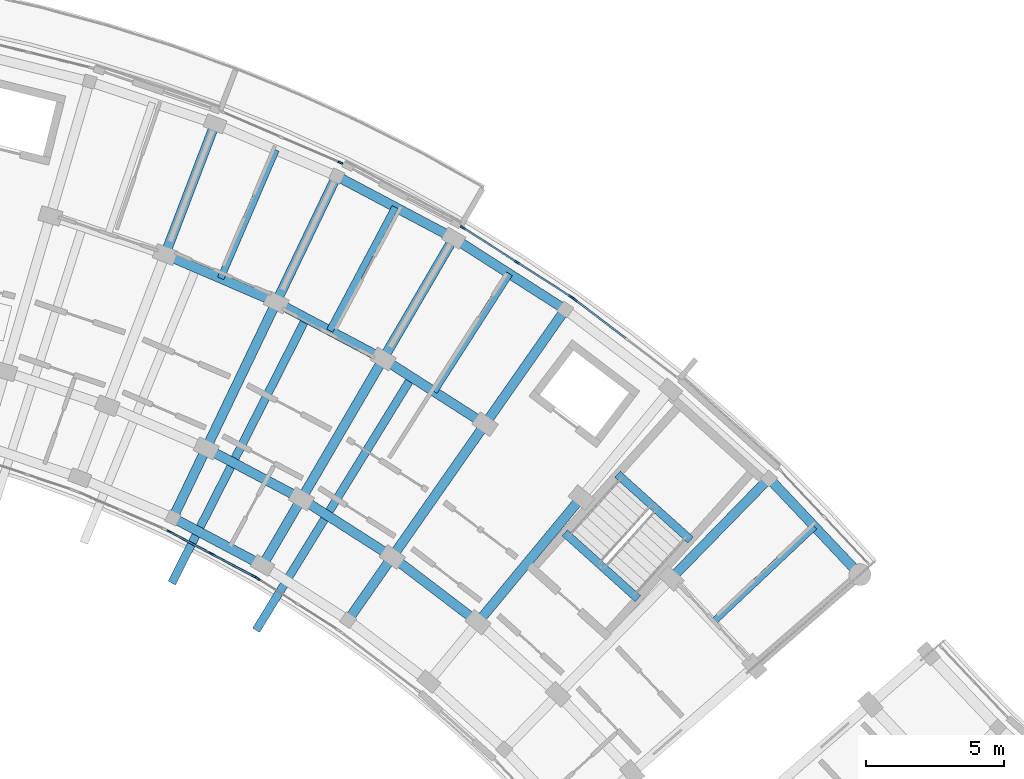
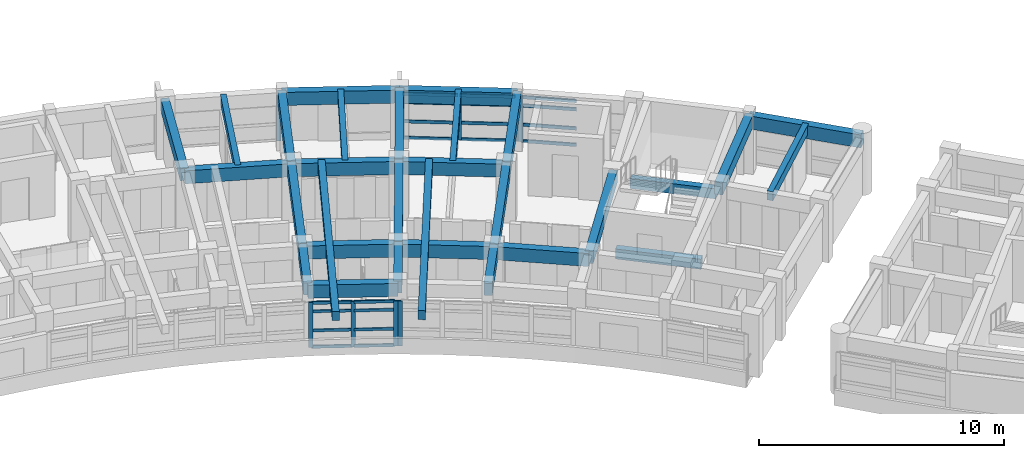
# One storey, part 15 of 54: 30 beams, 29 members, 5 elements without a shape of their own.
"""IFC4 building model written with IfcOpenShell, lengths in metres."""

from ifc_helpers import new_model, si_unit, direction, frame, origin, origin_2d, place, context, subcontext, project, spatial, rectangle, extrude, material, material_profile, profile_set, type_object, element, aggregate, save


model = new_model("IFC4")

# Units and contexts
model_context = context("Model", 3, precision=1e-05, world=origin(), true_north=direction((0.0, 1.0)))
body_context = subcontext(model_context, "Body", "Model", "MODEL_VIEW")
ifc_project = project(units=[si_unit("LENGTHUNIT", "METRE"), si_unit("AREAUNIT", "SQUARE_METRE"), si_unit("VOLUMEUNIT", "CUBIC_METRE"), si_unit("PLANEANGLEUNIT", "RADIAN"), si_unit("MASSUNIT", "GRAM", prefix="KILO")], contexts=[model_context])

# Site, building, storey
site_placement = place(None, origin())
site = spatial("IfcSite", under=ifc_project, at=site_placement, CompositionType="ELEMENT")
building_placement = place(site_placement, origin())
building = spatial("IfcBuilding", under=site, at=building_placement, Name="Zimvara Arc Housing Community", CompositionType="ELEMENT")
storey_placement = place(building_placement, frame((0.0, 0.0, 20.5)))
storey = spatial("IfcBuildingStorey", under=building, at=storey_placement, Name="L06", CompositionType="ELEMENT", Elevation=20.5)

# Beams
ifc_material_1 = material(Name="Concrete C40/50", Category="concrete")
ifc_material_profile_1 = material_profile(ifc_material_1, rectangle(XDim=0.25, YDim=0.449951171875, at=origin_2d()), Name="RC 250x450")
ifc_profile_set_1 = profile_set([ifc_material_profile_1], Name="Concrete C40/50")
beam_type_1 = type_object("IfcBeamType", Name="BM-RC-250x450", PredefinedType="JOIST", material=ifc_profile_set_1)
beam_1_placement = place(storey_placement, frame((66.22802734375, 93.885986328125, 2.635009765625), z_axis=(0.394929109608, 0.918711596958, 0.0), x_axis=(-0.918711596958, 0.394929109608, 0.0)))
element("IfcBeam", 1, at=beam_1_placement, inside=storey, type_object=beam_type_1, Name="bm:blkB:L06:joist:b4", PredefinedType="JOIST", context=body_context, shape_type="SweptSolid", body=[
    extrude(rectangle(XDim=0.25, YDim=0.449951171875, at=origin_2d()), origin(), (0.0, 0.0, 1.0), 5.075927734375),
])
for number, where, z_axis, x_axis, name in (
    (2, (70.186767578125, 91.9892578125, 2.635009765625), (0.46853732736, 0.883443701019, 0.0), (-0.883443701019, 0.46853732736, 0.0), "bm:blkB:L06:joist:b5"),
    (3, (73.9775390625, 89.776123046875, 2.635009765625), (0.539052331508, 0.842272274206, 0.0), (-0.842272274206, 0.539052331508, 0.0), "bm:blkB:L06:joist:b6"),
):
    element("IfcBeam", number, at=place(storey_placement, frame(where, z_axis=z_axis, x_axis=x_axis)), inside=storey, type_object=beam_type_1, Name=name, PredefinedType="JOIST", context=body_context, shape_type="SweptSolid", body=[
        extrude(rectangle(XDim=0.25, YDim=0.449951171875, at=origin_2d()), origin(), (0.0, 0.0, 1.0), 5.07568359375),
    ])
beam_2_placement = place(storey_placement, frame((84.095703125, 81.3935546875, 2.635009765625), z_axis=(0.727299876429, 0.686319815936, 0.0), x_axis=(-0.686319815936, 0.727299876429, 0.0)))
element("IfcBeam", 4, at=beam_2_placement, inside=storey, type_object=beam_type_1, Name="bm:blkB:L06:joist:b9", PredefinedType="JOIST", context=body_context, shape_type="SweptSolid", body=[
    extrude(rectangle(XDim=0.25, YDim=0.449951171875, at=origin_2d()), origin(), (0.0, 0.0, 1.0), 5.075927734375),
])
ifc_material_2 = material(Name="Concrete C40/50", Category="concrete")
ifc_material_profile_2 = material_profile(ifc_material_2, rectangle(XDim=0.300048828125, YDim=0.449951171875, at=origin_2d()), Name="RC 300x450")
ifc_profile_set_2 = profile_set([ifc_material_profile_2], Name="Concrete C40/50")
beam_type_2 = type_object("IfcBeamType", Name="BM-RC-300x450", PredefinedType="JOIST", material=ifc_profile_set_2)
beam_3_placement = place(storey_placement, frame((69.349609375, 92.474365234375, 2.6650390625), z_axis=(-0.452584717722, -0.89172141013, 0.0), x_axis=(0.89172141013, -0.452584717722, 0.0)))
element("IfcBeam", 5, at=beam_3_placement, inside=storey, type_object=beam_type_2, Name="bm:blkB:L06:cant_in:b5", PredefinedType="JOIST", context=body_context, shape_type="SweptSolid", body=[
    extrude(rectangle(XDim=0.300048828125, YDim=0.449951171875, at=origin_2d()), origin(), (0.0, 0.0, 1.0), 10.820068359375),
])
beam_4_placement = place(storey_placement, frame((73.182861328125, 90.32763671875, 2.6650390625), z_axis=(-0.523845615736, -0.851813225346, 0.0), x_axis=(0.851813225346, -0.523845615736, 0.0)))
element("IfcBeam", 6, at=beam_4_placement, inside=storey, type_object=beam_type_2, Name="bm:blkB:L06:cant_in:b6", PredefinedType="JOIST", context=body_context, shape_type="SweptSolid", body=[
    extrude(rectangle(XDim=0.300048828125, YDim=0.449951171875, at=origin_2d()), origin(), (0.0, 0.0, 1.0), 10.81982421875),
])
ifc_material_3 = material(Name="Concrete C40/50", Category="concrete")
ifc_material_profile_3 = material_profile(ifc_material_3, rectangle(XDim=0.300048828125, YDim=0.5, at=origin_2d()), Name="RC 300x500")
ifc_profile_set_3 = profile_set([ifc_material_profile_3], Name="Concrete C40/50")
beam_type_3 = type_object("IfcBeamType", Name="BM-RC-300x500", PredefinedType="BEAM", material=ifc_profile_set_3)
beam_5_placement = place(storey_placement, frame((81.375732421875, 82.259033203125, -0.25), z_axis=(-0.743362151162, 0.668889162881, 0.0), x_axis=(-0.668889162881, -0.743362151162, 0.0)))
element("IfcBeam", 7, at=beam_5_placement, inside=storey, type_object=beam_type_3, Name="bm:stair_trim:ST-B2:L06:near", PredefinedType="BEAM", context=body_context, shape_type="SweptSolid", body=[
    extrude(rectangle(XDim=0.300048828125, YDim=0.5, at=origin_2d()), origin(), (0.0, 0.0, 1.0), 3.570068359375),
])
beam_6_placement = place(storey_placement, frame((83.2900390625, 84.38671875, 1.300048828125), z_axis=(-0.743396155404, 0.668851370732, 0.0), x_axis=(-0.668851370732, -0.743396155404, 0.0)))
element("IfcBeam", 8, at=beam_6_placement, inside=storey, type_object=beam_type_3, Name="bm:stair_trim:ST-B2:L06:mid", PredefinedType="BEAM", context=body_context, shape_type="SweptSolid", body=[
    extrude(rectangle(XDim=0.300048828125, YDim=0.5, at=origin_2d()), origin(), (0.0, 0.0, 1.0), 3.56982421875),
])
ifc_material_4 = material(Name="Concrete C40/50", Category="concrete")
ifc_material_profile_4 = material_profile(ifc_material_4, rectangle(XDim=0.35009765625, YDim=0.60009765625, at=origin_2d()), Name="RC 350x600")
ifc_profile_set_4 = profile_set([ifc_material_profile_4], Name="Concrete C40/50")
beam_type_4 = type_object("IfcBeamType", Name="BM-RC-350x600", PredefinedType="BEAM", material=ifc_profile_set_4)
beam_7_placement = place(storey_placement, frame((64.2099609375, 94.75341796875, 2.56005859375), z_axis=(0.357078271386, 0.934074466038, 0.0), x_axis=(-0.934074466038, 0.357078271386, 0.0)))
element("IfcBeam", 9, at=beam_7_placement, inside=storey, type_object=beam_type_4, Name="bm:blkB:L06:rad:b4:r23", PredefinedType="BEAM", context=body_context, shape_type="SweptSolid", body=[
    extrude(rectangle(XDim=0.35009765625, YDim=0.60009765625, at=origin_2d()), origin(), (0.0, 0.0, 1.0), 5.080078125),
])
beam_8_placement = place(storey_placement, frame((64.49560546875, 85.190673828125, 2.56005859375), z_axis=(0.432118703138, 0.901816736593, 0.0), x_axis=(-0.901816736593, 0.432118703138, 0.0)))
element("IfcBeam", 10, at=beam_8_placement, inside=storey, type_object=beam_type_4, Name="bm:blkB:L06:rad:b5:r01", PredefinedType="BEAM", context=body_context, shape_type="SweptSolid", body=[
    extrude(rectangle(XDim=0.35009765625, YDim=0.60009765625, at=origin_2d()), origin(), (0.0, 0.0, 1.0), 2.800048828125),
])
beam_9_placement = place(storey_placement, frame((65.70556640625, 87.7158203125, 2.56005859375), z_axis=(0.432069527705, 0.901840298073, 0.0), x_axis=(-0.901840298073, 0.432069527705, 0.0)))
element("IfcBeam", 11, at=beam_9_placement, inside=storey, type_object=beam_type_4, Name="bm:blkB:L06:rad:b5:r12", PredefinedType="BEAM", context=body_context, shape_type="SweptSolid", body=[
    extrude(rectangle(XDim=0.35009765625, YDim=0.60009765625, at=origin_2d()), origin(), (0.0, 0.0, 1.0), 5.8798828125),
])
beam_10_placement = place(storey_placement, frame((68.24609375, 93.0185546875, 2.56005859375), z_axis=(0.432098194978, 0.901826563091, 0.0), x_axis=(-0.901826563091, 0.432098194978, 0.0)))
element("IfcBeam", 12, at=beam_10_placement, inside=storey, type_object=beam_type_4, Name="bm:blkB:L06:rad:b5:r23", PredefinedType="BEAM", context=body_context, shape_type="SweptSolid", body=[
    extrude(rectangle(XDim=0.35009765625, YDim=0.60009765625, at=origin_2d()), origin(), (0.0, 0.0, 1.0), 5.080078125),
])
beam_11_placement = place(storey_placement, frame((67.750732421875, 83.46435546875, 2.56005859375), z_axis=(0.504239631668, 0.86356377521, 0.0), x_axis=(-0.86356377521, 0.504239631668, 0.0)))
element("IfcBeam", 13, at=beam_11_placement, inside=storey, type_object=beam_type_4, Name="bm:blkB:L06:rad:b6:r01", PredefinedType="BEAM", context=body_context, shape_type="SweptSolid", body=[
    extrude(rectangle(XDim=0.35009765625, YDim=0.60009765625, at=origin_2d()), origin(), (0.0, 0.0, 1.0), 2.800048828125),
])
beam_12_placement = place(storey_placement, frame((69.16259765625, 85.88232421875, 2.56005859375), z_axis=(0.504219494781, 0.863575532934, 0.0), x_axis=(-0.863575532934, 0.504219494781, 0.0)))
element("IfcBeam", 14, at=beam_12_placement, inside=storey, type_object=beam_type_4, Name="bm:blkB:L06:rad:b6:r12", PredefinedType="BEAM", context=body_context, shape_type="SweptSolid", body=[
    extrude(rectangle(XDim=0.35009765625, YDim=0.60009765625, at=origin_2d()), origin(), (0.0, 0.0, 1.0), 5.880126953125),
])
beam_13_placement = place(storey_placement, frame((72.12744140625, 90.960205078125, 2.56005859375), z_axis=(0.504196701544, 0.863588840915, 0.0), x_axis=(-0.863588840915, 0.504196701544, 0.0)))
element("IfcBeam", 15, at=beam_13_placement, inside=storey, type_object=beam_type_4, Name="bm:blkB:L06:rad:b6:r23", PredefinedType="BEAM", context=body_context, shape_type="SweptSolid", body=[
    extrude(rectangle(XDim=0.35009765625, YDim=0.60009765625, at=origin_2d()), origin(), (0.0, 0.0, 1.0), 5.079833984375),
])
beam_14_placement = place(storey_placement, frame((70.85400390625, 81.478271484375, 2.56005859375), z_axis=(0.57297651105, 0.819571789281, 0.0), x_axis=(-0.819571789281, 0.57297651105, 0.0)))
element("IfcBeam", 16, at=beam_14_placement, inside=storey, type_object=beam_type_4, Name="bm:blkB:L06:rad:b7:r01", PredefinedType="BEAM", context=body_context, shape_type="SweptSolid", body=[
    extrude(rectangle(XDim=0.35009765625, YDim=0.60009765625, at=origin_2d()), origin(), (0.0, 0.0, 1.0), 2.7998046875),
])
beam_15_placement = place(storey_placement, frame((72.458251953125, 83.77294921875, 2.56005859375), z_axis=(0.573027549978, 0.819536104736, 0.0), x_axis=(-0.819536104736, 0.573027549978, 0.0)))
element("IfcBeam", 17, at=beam_15_placement, inside=storey, type_object=beam_type_4, Name="bm:blkB:L06:rad:b7:r12", PredefinedType="BEAM", context=body_context, shape_type="SweptSolid", body=[
    extrude(rectangle(XDim=0.35009765625, YDim=0.60009765625, at=origin_2d()), origin(), (0.0, 0.0, 1.0), 5.8798828125),
])
beam_16_placement = place(storey_placement, frame((75.82763671875, 88.591796875, 2.56005859375), z_axis=(0.573007469479, 0.819550144848, 0.0), x_axis=(-0.819550144848, 0.573007469479, 0.0)))
element("IfcBeam", 18, at=beam_16_placement, inside=storey, type_object=beam_type_4, Name="bm:blkB:L06:rad:b7:r23", PredefinedType="BEAM", context=body_context, shape_type="SweptSolid", body=[
    extrude(rectangle(XDim=0.35009765625, YDim=0.60009765625, at=origin_2d()), origin(), (0.0, 0.0, 1.0), 5.080078125),
])
beam_17_placement = place(storey_placement, frame((75.571044921875, 81.401611328125, 2.56005859375), z_axis=(0.637955964415, 0.770072845559, 0.0), x_axis=(-0.770072845559, 0.637955964415, 0.0)))
element("IfcBeam", 19, at=beam_17_placement, inside=storey, type_object=beam_type_4, Name="bm:blkB:L06:rad:b8:r12", PredefinedType="BEAM", context=body_context, shape_type="SweptSolid", body=[
    extrude(rectangle(XDim=0.35009765625, YDim=0.60009765625, at=origin_2d()), origin(), (0.0, 0.0, 1.0), 5.880126953125),
])
beam_18_placement = place(storey_placement, frame((82.588134765625, 82.9912109375, 2.56005859375), z_axis=(0.698670885014, 0.71544321538, 0.0), x_axis=(-0.71544321538, 0.698670885014, 0.0)))
element("IfcBeam", 20, at=beam_18_placement, inside=storey, type_object=beam_type_4, Name="bm:blkB:L06:rad:b9:r23", PredefinedType="BEAM", context=body_context, shape_type="SweptSolid", body=[
    extrude(rectangle(XDim=0.35009765625, YDim=0.60009765625, at=origin_2d()), origin(), (0.0, 0.0, 1.0), 5.080078125),
])
ifc_material_5 = material(Name="Concrete C40/50", Category="concrete")
ifc_material_profile_5 = material_profile(ifc_material_5, rectangle(XDim=0.35009765625, YDim=0.64990234375, at=origin_2d()), Name="RC 350x650")
ifc_profile_set_5 = profile_set([ifc_material_profile_5], Name="Concrete C40/50")
beam_type_5 = type_object("IfcBeamType", Name="BM-RC-350x650", PredefinedType="BEAM", material=ifc_profile_set_5)
beam_19_placement = place(storey_placement, frame((64.49560546875, 85.190673828125, 2.534912109375), z_axis=(0.883449220086, -0.468526920815, 0.0), x_axis=(0.468526920815, 0.883449220086, 0.0)))
element("IfcBeam", 21, at=beam_19_placement, inside=storey, type_object=beam_type_5, Name="bm:blkB:L06:chord:r0:b5", PredefinedType="BEAM", context=body_context, shape_type="SweptSolid", body=[
    extrude(rectangle(XDim=0.35009765625, YDim=0.64990234375, at=origin_2d()), origin(), (0.0, 0.0, 1.0), 3.6845703125),
])
beam_20_placement = place(storey_placement, frame((65.70556640625, 87.7158203125, 2.534912109375), z_axis=(0.883438625159, -0.468546897948, 0.0), x_axis=(0.468546897948, 0.883438625159, 0.0)))
element("IfcBeam", 22, at=beam_20_placement, inside=storey, type_object=beam_type_5, Name="bm:blkB:L06:chord:r1:b5", PredefinedType="BEAM", context=body_context, shape_type="SweptSolid", body=[
    extrude(rectangle(XDim=0.35009765625, YDim=0.64990234375, at=origin_2d()), origin(), (0.0, 0.0, 1.0), 3.9130859375),
])
beam_21_placement = place(storey_placement, frame((69.16259765625, 85.88232421875, 2.534912109375), z_axis=(0.842253269878, -0.539082024724, 0.0), x_axis=(0.539082024724, 0.842253269878, 0.0)))
element("IfcBeam", 23, at=beam_21_placement, inside=storey, type_object=beam_type_5, Name="bm:blkB:L06:chord:r1:b6", PredefinedType="BEAM", context=body_context, shape_type="SweptSolid", body=[
    extrude(rectangle(XDim=0.35009765625, YDim=0.64990234375, at=origin_2d()), origin(), (0.0, 0.0, 1.0), 3.912841796875),
])
beam_22_placement = place(storey_placement, frame((72.458251953125, 83.77294921875, 2.534912109375), z_axis=(0.795470387579, -0.605992460749, 0.0), x_axis=(0.605992460749, 0.795470387579, 0.0)))
element("IfcBeam", 24, at=beam_22_placement, inside=storey, type_object=beam_type_5, Name="bm:blkB:L06:chord:r1:b7", PredefinedType="BEAM", context=body_context, shape_type="SweptSolid", body=[
    extrude(rectangle(XDim=0.35009765625, YDim=0.64990234375, at=origin_2d()), origin(), (0.0, 0.0, 1.0), 3.9130859375),
])
for number, where, z_axis, x_axis, name in (
    (25, (64.2099609375, 94.75341796875, 2.534912109375), (0.918724840088, -0.394898301093, 0.0), (0.394898301093, 0.918724840088, 0.0), "bm:blkB:L06:chord:r2:b4"),
    (26, (68.24609375, 93.0185546875, 2.534912109375), (0.883456526058, -0.468513144496, 0.0), (0.468513144496, 0.883456526058, 0.0), "bm:blkB:L06:chord:r2:b5"),
    (27, (72.12744140625, 90.960205078125, 2.534912109375), (0.842242131326, -0.539099427025, 0.0), (0.539099427025, 0.842242131326, 0.0), "bm:blkB:L06:chord:r2:b6"),
):
    element("IfcBeam", number, at=place(storey_placement, frame(where, z_axis=z_axis, x_axis=x_axis)), inside=storey, type_object=beam_type_5, Name=name, PredefinedType="BEAM", context=body_context, shape_type="SweptSolid", body=[
        extrude(rectangle(XDim=0.35009765625, YDim=0.64990234375, at=origin_2d()), origin(), (0.0, 0.0, 1.0), 4.393310546875),
    ])
beam_23_placement = place(storey_placement, frame((70.441162109375, 97.599853515625, 2.534912109375), z_axis=(0.883445542299, -0.468533855546, 0.0), x_axis=(0.468533855546, 0.883445542299, 0.0)))
element("IfcBeam", 28, at=beam_23_placement, inside=storey, type_object=beam_type_5, Name="bm:blkB:L06:chord:r3:b5", PredefinedType="BEAM", context=body_context, shape_type="SweptSolid", body=[
    extrude(rectangle(XDim=0.35009765625, YDim=0.64990234375, at=origin_2d()), origin(), (0.0, 0.0, 1.0), 4.807861328125),
])
beam_24_placement = place(storey_placement, frame((74.688720703125, 95.34716796875, 2.534912109375), z_axis=(0.842255724028, -0.539078190379, 0.0), x_axis=(0.539078190379, 0.842255724028, 0.0)))
element("IfcBeam", 29, at=beam_24_placement, inside=storey, type_object=beam_type_5, Name="bm:blkB:L06:chord:r3:b6", PredefinedType="BEAM", context=body_context, shape_type="SweptSolid", body=[
    extrude(rectangle(XDim=0.35009765625, YDim=0.64990234375, at=origin_2d()), origin(), (0.0, 0.0, 1.0), 4.808349609375),
])
beam_25_placement = place(storey_placement, frame((86.137451171875, 86.625732421875, 2.534912109375), z_axis=(0.6862954451, -0.727322873307, 0.0), x_axis=(0.727322873307, 0.6862954451, 0.0)))
element("IfcBeam", 30, at=beam_25_placement, inside=storey, type_object=beam_type_5, Name="bm:blkB:L06:chord:r3:b9", PredefinedType="BEAM", context=body_context, shape_type="SweptSolid", body=[
    extrude(rectangle(XDim=0.35009765625, YDim=0.64990234375, at=origin_2d()), origin(), (0.0, 0.0, 1.0), 4.80810546875),
])

# Curtain wall, member
ifc_material_6 = material(Name="Anodised Aluminium AW-6063", Category="aluminium")
curtain_wall_type_1 = type_object("IfcCurtainWallType", Name="CW-SYS-06", PredefinedType="USERDEFINED", material=ifc_material_6)
curtain_wall_1_placement = place(storey_placement, origin())
curtain_wall_1 = element("IfcCurtainWall", 31, at=curtain_wall_1_placement, inside=storey, type_object=curtain_wall_type_1, Name="cw:blkB:L06:out:b4", ObjectType="CURTAIN WALL", PredefinedType="USERDEFINED")
ifc_material_7 = material(Name="Anodised Aluminium AW-6063", Category="aluminium")
ifc_material_profile_6 = material_profile(ifc_material_7, rectangle(XDim=0.06494140625, YDim=0.179931640625, at=origin_2d()), Name="ALU 65x180")
ifc_profile_set_6 = profile_set([ifc_material_profile_6], Name="Anodised Aluminium AW-6063")
member_type_1 = type_object("IfcMemberType", Name="CWM-65x150", PredefinedType="MULLION", material=ifc_profile_set_6)
member_1_placement = place(storey_placement, frame((70.572265625, 98.08740234375, 0.0), z_axis=(0.0, 0.0, 1.0), x_axis=(0.394904211998, 0.918722299363, 0.0)))
member_1 = element("IfcMember", 32, at=member_1_placement, type_object=member_type_1, Name="CW06 mullion 3", PredefinedType="MULLION", context=body_context, shape_type="SweptSolid", body=[
    extrude(rectangle(XDim=0.06494140625, YDim=0.179931640625, at=origin_2d()), origin(), (0.0, 0.0, 1.0), 2.25),
])
aggregate(curtain_wall_1, [member_1])

# Curtain wall, members
ifc_material_8 = material(Name="Anodised Aluminium AW-6063", Category="aluminium")
curtain_wall_type_2 = type_object("IfcCurtainWallType", Name="CW-SYS-08", PredefinedType="USERDEFINED", material=ifc_material_8)
curtain_wall_2_placement = place(storey_placement, origin())
curtain_wall_2 = element("IfcCurtainWall", 33, at=curtain_wall_2_placement, inside=storey, type_object=curtain_wall_type_2, Name="cw:blkB:L06:in:b5", ObjectType="CURTAIN WALL", PredefinedType="USERDEFINED")
member_2_placement = place(storey_placement, frame((64.361328125, 84.696533203125, 0.0), z_axis=(0.0, 0.0, 1.0), x_axis=(0.468544648573, 0.88343981815, 0.0)))
member_2 = element("IfcMember", 34, at=member_2_placement, type_object=member_type_1, Name="CW08 mullion 1", PredefinedType="MULLION", context=body_context, shape_type="SweptSolid", body=[
    extrude(rectangle(XDim=0.06494140625, YDim=0.179931640625, at=origin_2d()), origin(), (0.0, 0.0, 1.0), 2.25),
])
member_3_placement = place(storey_placement, frame((65.88916015625, 83.88623046875, 0.0), z_axis=(0.0, 0.0, 1.0), x_axis=(0.468544648573, 0.88343981815, 0.0)))
member_3 = element("IfcMember", 35, at=member_3_placement, type_object=member_type_1, Name="CW08 mullion 2", PredefinedType="MULLION", context=body_context, shape_type="SweptSolid", body=[
    extrude(rectangle(XDim=0.06494140625, YDim=0.179931640625, at=origin_2d()), origin(), (0.0, 0.0, 1.0), 2.25),
])
member_4_placement = place(storey_placement, frame((67.416748046875, 83.075927734375, 0.0), z_axis=(0.0, 0.0, 1.0), x_axis=(0.468544648573, 0.88343981815, 0.0)))
member_4 = element("IfcMember", 36, at=member_4_placement, type_object=member_type_1, Name="CW08 mullion 3", PredefinedType="MULLION", context=body_context, shape_type="SweptSolid", body=[
    extrude(rectangle(XDim=0.06494140625, YDim=0.179931640625, at=origin_2d()), origin(), (0.0, 0.0, 1.0), 2.25),
])

# Curtain wall, member
ifc_material_9 = material(Name="Anodised Aluminium AW-6063", Category="aluminium")
curtain_wall_type_3 = type_object("IfcCurtainWallType", Name="CW-SYS-02", PredefinedType="USERDEFINED", material=ifc_material_9)
curtain_wall_3_placement = place(storey_placement, origin())
curtain_wall_3 = element("IfcCurtainWall", 37, at=curtain_wall_3_placement, inside=storey, type_object=curtain_wall_type_3, Name="cw:blkB:L06:in:b6", ObjectType="CURTAIN WALL", PredefinedType="USERDEFINED")
member_5_placement = place(storey_placement, frame((67.576416015625, 82.982666015625, 0.0), z_axis=(0.0, 0.0, 1.0), x_axis=(0.539064085203, 0.842264751752, 0.0)))
member_5 = element("IfcMember", 38, at=member_5_placement, type_object=member_type_1, Name="CW02 mullion 1", PredefinedType="MULLION", context=body_context, shape_type="SweptSolid", body=[
    extrude(rectangle(XDim=0.06494140625, YDim=0.179931640625, at=origin_2d()), origin(), (0.0, 0.0, 1.0), 2.25),
])
aggregate(curtain_wall_3, [member_5])

# Curtain wall, members
ifc_material_10 = material(Name="Anodised Aluminium AW-6063", Category="aluminium")
curtain_wall_type_4 = type_object("IfcCurtainWallType", Name="CW-SYS-01", PredefinedType="USERDEFINED", material=ifc_material_10)
curtain_wall_4_placement = place(storey_placement, origin())
curtain_wall_4 = element("IfcCurtainWall", 39, at=curtain_wall_4_placement, inside=storey, type_object=curtain_wall_type_4, Name="cw:blkB:L06:out:b6", ObjectType="CURTAIN WALL", PredefinedType="USERDEFINED")
ifc_material_11 = material(Name="Anodised Aluminium AW-6063", Category="aluminium")
ifc_material_profile_7 = material_profile(ifc_material_11, rectangle(XDim=0.06494140625, YDim=0.195068359375, at=origin_2d()), Name="ALU 65x195")
ifc_profile_set_7 = profile_set([ifc_material_profile_7], Name="Anodised Aluminium AW-6063")
member_type_2 = type_object("IfcMemberType", Name="CWM-65x180", PredefinedType="MULLION", material=ifc_profile_set_7)
member_6_placement = place(storey_placement, frame((75.018798828125, 95.72900390625, 0.0), z_axis=(0.0, 0.0, 1.0), x_axis=(0.539064617721, 0.842264410931, 0.0)))
member_6 = element("IfcMember", 40, at=member_6_placement, type_object=member_type_2, Name="CW01 mullion 1", PredefinedType="MULLION", context=body_context, shape_type="SweptSolid", body=[
    extrude(rectangle(XDim=0.06494140625, YDim=0.195068359375, at=origin_2d()), origin(), (0.0, 0.0, 1.0), 2.25),
])
member_7_placement = place(storey_placement, frame((76.98291015625, 94.471923828125, 0.0), z_axis=(0.0, 0.0, 1.0), x_axis=(0.539064617721, 0.842264410931, 0.0)))
member_7 = element("IfcMember", 41, at=member_7_placement, type_object=member_type_2, Name="CW01 mullion 2", PredefinedType="MULLION", context=body_context, shape_type="SweptSolid", body=[
    extrude(rectangle(XDim=0.06494140625, YDim=0.195068359375, at=origin_2d()), origin(), (0.0, 0.0, 1.0), 2.25),
])
member_8_placement = place(storey_placement, frame((78.947021484375, 93.21484375, 0.0), z_axis=(0.0, 0.0, 1.0), x_axis=(0.539064617721, 0.842264410931, 0.0)))
member_8 = element("IfcMember", 42, at=member_8_placement, type_object=member_type_2, Name="CW01 mullion 3", PredefinedType="MULLION", context=body_context, shape_type="SweptSolid", body=[
    extrude(rectangle(XDim=0.06494140625, YDim=0.195068359375, at=origin_2d()), origin(), (0.0, 0.0, 1.0), 2.25),
])

# Curtain wall, member
ifc_material_12 = material(Name="Anodised Aluminium AW-6063", Category="aluminium")
curtain_wall_type_5 = type_object("IfcCurtainWallType", Name="CW-SYS-03", PredefinedType="USERDEFINED", material=ifc_material_12)
curtain_wall_5_placement = place(storey_placement, origin())
curtain_wall_5 = element("IfcCurtainWall", 43, at=curtain_wall_5_placement, inside=storey, type_object=curtain_wall_type_5, Name="cw:blkB:L06:out:b7", ObjectType="CURTAIN WALL", PredefinedType="USERDEFINED")
member_9_placement = place(storey_placement, frame((79.0986328125, 93.10888671875, 0.0), z_axis=(0.0, 0.0, 1.0), x_axis=(0.60598771987, 0.795473999177, 0.0)))
member_9 = element("IfcMember", 44, at=member_9_placement, type_object=member_type_2, Name="CW03 mullion 1", PredefinedType="MULLION", context=body_context, shape_type="SweptSolid", body=[
    extrude(rectangle(XDim=0.06494140625, YDim=0.195068359375, at=origin_2d()), origin(), (0.0, 0.0, 1.0), 2.25),
])

# Member
ifc_material_13 = material(Name="Anodised Aluminium AW-6063", Category="aluminium")
ifc_material_profile_8 = material_profile(ifc_material_13, rectangle(XDim=0.06494140625, YDim=0.139892578125, at=origin_2d()), Name="ALU 65x140")
ifc_profile_set_8 = profile_set([ifc_material_profile_8], Name="Anodised Aluminium AW-6063")
member_type_3 = type_object("IfcMemberType", Name="CWT-65x120", PredefinedType="USERDEFINED", material=ifc_profile_set_8)
member_10_placement = place(storey_placement, frame((64.39013671875, 84.68115234375, 0.032470703125), z_axis=(0.8834308201, -0.468561613982, 0.0), x_axis=(0.468561613982, 0.8834308201, 0.0)))
member_10 = element("IfcMember", 45, at=member_10_placement, type_object=member_type_3, Name="CW08 transom 1.1", ObjectType="TRANSOM", PredefinedType="USERDEFINED", context=body_context, shape_type="SweptSolid", body=[
    extrude(rectangle(XDim=0.06494140625, YDim=0.139892578125, at=origin_2d()), origin(), (0.0, 0.0, 1.0), 1.664306640625),
])

member_11_placement = place(storey_placement, frame((64.39013671875, 84.68115234375, 0.85009765625), z_axis=(0.8834308201, -0.468561613982, 0.0), x_axis=(0.468561613982, 0.8834308201, 0.0)))
member_11 = element("IfcMember", 46, at=member_11_placement, type_object=member_type_3, Name="CW08 transom 1.2", ObjectType="TRANSOM", PredefinedType="USERDEFINED", context=body_context, shape_type="SweptSolid", body=[
    extrude(rectangle(XDim=0.06494140625, YDim=0.139892578125, at=origin_2d()), origin(), (0.0, 0.0, 1.0), 1.664306640625),
])

member_12_placement = place(storey_placement, frame((64.39013671875, 84.68115234375, 1.800048828125), z_axis=(0.8834308201, -0.468561613982, 0.0), x_axis=(0.468561613982, 0.8834308201, 0.0)))
member_12 = element("IfcMember", 47, at=member_12_placement, type_object=member_type_3, Name="CW08 transom 1.3", ObjectType="TRANSOM", PredefinedType="USERDEFINED", context=body_context, shape_type="SweptSolid", body=[
    extrude(rectangle(XDim=0.06494140625, YDim=0.139892578125, at=origin_2d()), origin(), (0.0, 0.0, 1.0), 1.664306640625),
])

member_13_placement = place(storey_placement, frame((64.39013671875, 84.68115234375, 2.217529296875), z_axis=(0.8834308201, -0.468561613982, 0.0), x_axis=(0.468561613982, 0.8834308201, 0.0)))
member_13 = element("IfcMember", 48, at=member_13_placement, type_object=member_type_3, Name="CW08 transom 1.4", ObjectType="TRANSOM", PredefinedType="USERDEFINED", context=body_context, shape_type="SweptSolid", body=[
    extrude(rectangle(XDim=0.06494140625, YDim=0.139892578125, at=origin_2d()), origin(), (0.0, 0.0, 1.0), 1.664306640625),
])

member_14_placement = place(storey_placement, frame((65.917724609375, 83.870849609375, 0.032470703125), z_axis=(0.883463021947, -0.468500895252, 0.0), x_axis=(0.468500895252, 0.883463021947, 0.0)))
member_14 = element("IfcMember", 49, at=member_14_placement, type_object=member_type_3, Name="CW08 transom 2.1", ObjectType="TRANSOM", PredefinedType="USERDEFINED", context=body_context, shape_type="SweptSolid", body=[
    extrude(rectangle(XDim=0.06494140625, YDim=0.139892578125, at=origin_2d()), origin(), (0.0, 0.0, 1.0), 1.664306640625),
])

member_15_placement = place(storey_placement, frame((65.917724609375, 83.870849609375, 0.85009765625), z_axis=(0.883463021947, -0.468500895252, 0.0), x_axis=(0.468500895252, 0.883463021947, 0.0)))
member_15 = element("IfcMember", 50, at=member_15_placement, type_object=member_type_3, Name="CW08 transom 2.2", ObjectType="TRANSOM", PredefinedType="USERDEFINED", context=body_context, shape_type="SweptSolid", body=[
    extrude(rectangle(XDim=0.06494140625, YDim=0.139892578125, at=origin_2d()), origin(), (0.0, 0.0, 1.0), 1.664306640625),
])

member_16_placement = place(storey_placement, frame((65.917724609375, 83.870849609375, 1.800048828125), z_axis=(0.883463021947, -0.468500895252, 0.0), x_axis=(0.468500895252, 0.883463021947, 0.0)))
member_16 = element("IfcMember", 51, at=member_16_placement, type_object=member_type_3, Name="CW08 transom 2.3", ObjectType="TRANSOM", PredefinedType="USERDEFINED", context=body_context, shape_type="SweptSolid", body=[
    extrude(rectangle(XDim=0.06494140625, YDim=0.139892578125, at=origin_2d()), origin(), (0.0, 0.0, 1.0), 1.664306640625),
])

member_17_placement = place(storey_placement, frame((65.917724609375, 83.870849609375, 2.217529296875), z_axis=(0.883463021947, -0.468500895252, 0.0), x_axis=(0.468500895252, 0.883463021947, 0.0)))
member_17 = element("IfcMember", 52, at=member_17_placement, type_object=member_type_3, Name="CW08 transom 2.4", ObjectType="TRANSOM", PredefinedType="USERDEFINED", context=body_context, shape_type="SweptSolid", body=[
    extrude(rectangle(XDim=0.06494140625, YDim=0.139892578125, at=origin_2d()), origin(), (0.0, 0.0, 1.0), 1.664306640625),
])

aggregate(curtain_wall_2, [member_2, member_3, member_4, member_10, member_11, member_12, member_13, member_14, member_15, member_16, member_17])

ifc_material_14 = material(Name="Anodised Aluminium AW-6063", Category="aluminium")
ifc_material_profile_9 = material_profile(ifc_material_14, rectangle(XDim=0.06494140625, YDim=0.155029296875, at=origin_2d()), Name="ALU 65x155")
ifc_profile_set_9 = profile_set([ifc_material_profile_9], Name="Anodised Aluminium AW-6063")
member_type_4 = type_object("IfcMemberType", Name="CWT-65x140", PredefinedType="USERDEFINED", material=ifc_profile_set_9)
member_18_placement = place(storey_placement, frame((75.046142578125, 95.71142578125, 0.032470703125), z_axis=(0.842292914806, -0.539020079095, 0.0), x_axis=(0.539020079095, 0.842292914806, 0.0)))
member_18 = element("IfcMember", 53, at=member_18_placement, type_object=member_type_4, Name="CW01 transom 1.1", ObjectType="TRANSOM", PredefinedType="USERDEFINED", context=body_context, shape_type="SweptSolid", body=[
    extrude(rectangle(XDim=0.06494140625, YDim=0.155029296875, at=origin_2d()), origin(), (0.0, 0.0, 1.0), 2.266845703125),
])

member_19_placement = place(storey_placement, frame((75.046142578125, 95.71142578125, 0.85009765625), z_axis=(0.842292914806, -0.539020079095, 0.0), x_axis=(0.539020079095, 0.842292914806, 0.0)))
member_19 = element("IfcMember", 54, at=member_19_placement, type_object=member_type_4, Name="CW01 transom 1.2", ObjectType="TRANSOM", PredefinedType="USERDEFINED", context=body_context, shape_type="SweptSolid", body=[
    extrude(rectangle(XDim=0.06494140625, YDim=0.155029296875, at=origin_2d()), origin(), (0.0, 0.0, 1.0), 2.266845703125),
])

member_20_placement = place(storey_placement, frame((75.046142578125, 95.71142578125, 1.800048828125), z_axis=(0.842292914806, -0.539020079095, 0.0), x_axis=(0.539020079095, 0.842292914806, 0.0)))
member_20 = element("IfcMember", 55, at=member_20_placement, type_object=member_type_4, Name="CW01 transom 1.3", ObjectType="TRANSOM", PredefinedType="USERDEFINED", context=body_context, shape_type="SweptSolid", body=[
    extrude(rectangle(XDim=0.06494140625, YDim=0.155029296875, at=origin_2d()), origin(), (0.0, 0.0, 1.0), 2.266845703125),
])

member_21_placement = place(storey_placement, frame((75.046142578125, 95.71142578125, 2.217529296875), z_axis=(0.842292914806, -0.539020079095, 0.0), x_axis=(0.539020079095, 0.842292914806, 0.0)))
member_21 = element("IfcMember", 56, at=member_21_placement, type_object=member_type_4, Name="CW01 transom 1.4", ObjectType="TRANSOM", PredefinedType="USERDEFINED", context=body_context, shape_type="SweptSolid", body=[
    extrude(rectangle(XDim=0.06494140625, YDim=0.155029296875, at=origin_2d()), origin(), (0.0, 0.0, 1.0), 2.266845703125),
])

member_22_placement = place(storey_placement, frame((77.01025390625, 94.454345703125, 0.032470703125), z_axis=(0.842292914806, -0.539020079095, 0.0), x_axis=(0.539020079095, 0.842292914806, 0.0)))
member_22 = element("IfcMember", 57, at=member_22_placement, type_object=member_type_4, Name="CW01 transom 2.1", ObjectType="TRANSOM", PredefinedType="USERDEFINED", context=body_context, shape_type="SweptSolid", body=[
    extrude(rectangle(XDim=0.06494140625, YDim=0.155029296875, at=origin_2d()), origin(), (0.0, 0.0, 1.0), 2.266845703125),
])

member_23_placement = place(storey_placement, frame((77.01025390625, 94.454345703125, 0.85009765625), z_axis=(0.842292914806, -0.539020079095, 0.0), x_axis=(0.539020079095, 0.842292914806, 0.0)))
member_23 = element("IfcMember", 58, at=member_23_placement, type_object=member_type_4, Name="CW01 transom 2.2", ObjectType="TRANSOM", PredefinedType="USERDEFINED", context=body_context, shape_type="SweptSolid", body=[
    extrude(rectangle(XDim=0.06494140625, YDim=0.155029296875, at=origin_2d()), origin(), (0.0, 0.0, 1.0), 2.266845703125),
])

member_24_placement = place(storey_placement, frame((77.01025390625, 94.454345703125, 1.800048828125), z_axis=(0.842292914806, -0.539020079095, 0.0), x_axis=(0.539020079095, 0.842292914806, 0.0)))
member_24 = element("IfcMember", 59, at=member_24_placement, type_object=member_type_4, Name="CW01 transom 2.3", ObjectType="TRANSOM", PredefinedType="USERDEFINED", context=body_context, shape_type="SweptSolid", body=[
    extrude(rectangle(XDim=0.06494140625, YDim=0.155029296875, at=origin_2d()), origin(), (0.0, 0.0, 1.0), 2.266845703125),
])

member_25_placement = place(storey_placement, frame((77.01025390625, 94.454345703125, 2.217529296875), z_axis=(0.842292914806, -0.539020079095, 0.0), x_axis=(0.539020079095, 0.842292914806, 0.0)))
member_25 = element("IfcMember", 60, at=member_25_placement, type_object=member_type_4, Name="CW01 transom 2.4", ObjectType="TRANSOM", PredefinedType="USERDEFINED", context=body_context, shape_type="SweptSolid", body=[
    extrude(rectangle(XDim=0.06494140625, YDim=0.155029296875, at=origin_2d()), origin(), (0.0, 0.0, 1.0), 2.266845703125),
])

aggregate(curtain_wall_4, [member_6, member_7, member_8, member_18, member_19, member_20, member_21, member_22, member_23, member_24, member_25])

member_26_placement = place(storey_placement, frame((79.12451171875, 93.08935546875, 0.032470703125), z_axis=(0.795453969776, -0.606014011363, 0.0), x_axis=(0.606014011363, 0.795453969776, 0.0)))
member_26 = element("IfcMember", 61, at=member_26_placement, type_object=member_type_4, Name="CW03 transom 1.1", ObjectType="TRANSOM", PredefinedType="USERDEFINED", context=body_context, shape_type="SweptSolid", body=[
    extrude(rectangle(XDim=0.06494140625, YDim=0.155029296875, at=origin_2d()), origin(), (0.0, 0.0, 1.0), 2.266845703125),
])

member_27_placement = place(storey_placement, frame((79.12451171875, 93.08935546875, 0.85009765625), z_axis=(0.795453969776, -0.606014011363, 0.0), x_axis=(0.606014011363, 0.795453969776, 0.0)))
member_27 = element("IfcMember", 62, at=member_27_placement, type_object=member_type_4, Name="CW03 transom 1.2", ObjectType="TRANSOM", PredefinedType="USERDEFINED", context=body_context, shape_type="SweptSolid", body=[
    extrude(rectangle(XDim=0.06494140625, YDim=0.155029296875, at=origin_2d()), origin(), (0.0, 0.0, 1.0), 2.266845703125),
])

member_28_placement = place(storey_placement, frame((79.12451171875, 93.08935546875, 1.800048828125), z_axis=(0.795453969776, -0.606014011363, 0.0), x_axis=(0.606014011363, 0.795453969776, 0.0)))
member_28 = element("IfcMember", 63, at=member_28_placement, type_object=member_type_4, Name="CW03 transom 1.3", ObjectType="TRANSOM", PredefinedType="USERDEFINED", context=body_context, shape_type="SweptSolid", body=[
    extrude(rectangle(XDim=0.06494140625, YDim=0.155029296875, at=origin_2d()), origin(), (0.0, 0.0, 1.0), 2.266845703125),
])

member_29_placement = place(storey_placement, frame((79.12451171875, 93.08935546875, 2.217529296875), z_axis=(0.795453969776, -0.606014011363, 0.0), x_axis=(0.606014011363, 0.795453969776, 0.0)))
member_29 = element("IfcMember", 64, at=member_29_placement, type_object=member_type_4, Name="CW03 transom 1.4", ObjectType="TRANSOM", PredefinedType="USERDEFINED", context=body_context, shape_type="SweptSolid", body=[
    extrude(rectangle(XDim=0.06494140625, YDim=0.155029296875, at=origin_2d()), origin(), (0.0, 0.0, 1.0), 2.266845703125),
])

aggregate(curtain_wall_5, [member_9, member_26, member_27, member_28, member_29])

save(model, "model.ifc")
